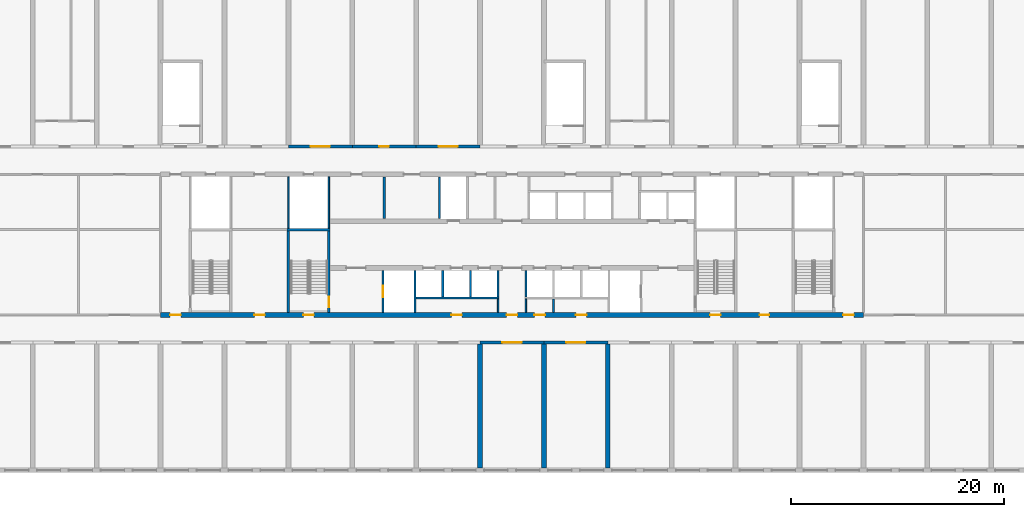
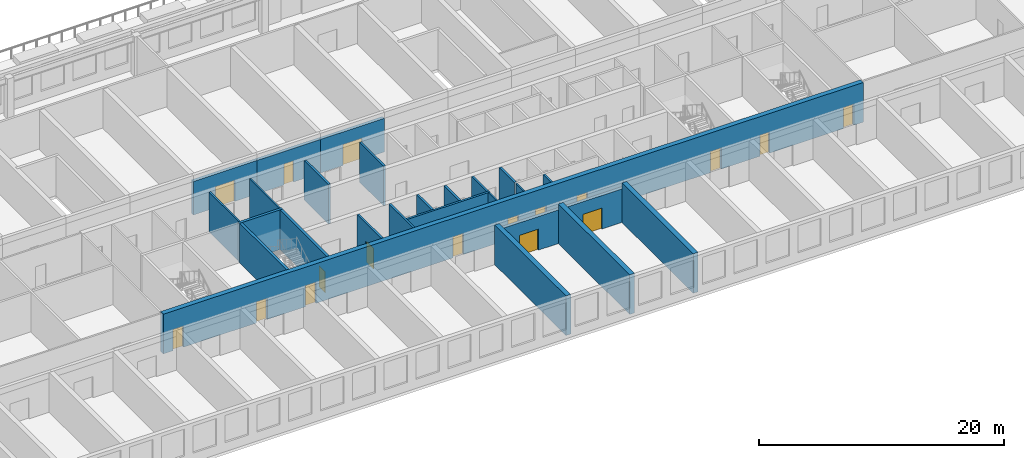
# One storey, part 4 of 15: 26 walls, 17 doors, 17 openings.
"""IFC4 building model written with IfcOpenShell, lengths in metres."""

from ifc_helpers import new_model, si_unit, direction, frame, frame_2d, origin, place, context, subcontext, project, spatial, rectangle, extrude, material, layer, layer_set, type_object, element, fill, save


model = new_model("IFC4")

# Units and contexts
model_context = context("Model", 3, precision=1e-05, world=origin(), true_north=direction((0.0, 1.0)))
body_context = subcontext(model_context, "Body", "Model", "MODEL_VIEW")
ifc_project = project(units=[si_unit("LENGTHUNIT", "METRE"), si_unit("AREAUNIT", "SQUARE_METRE"), si_unit("VOLUMEUNIT", "CUBIC_METRE"), si_unit("PLANEANGLEUNIT", "RADIAN"), si_unit("MASSUNIT", "GRAM", prefix="KILO")], contexts=[model_context])

# Site, building, storey
site_placement = place(None, origin())
site = spatial("IfcSite", under=ifc_project, at=site_placement, CompositionType="ELEMENT")
building_placement = place(site_placement, origin())
building = spatial("IfcBuilding", under=site, at=building_placement, Name="Poui Terraces", CompositionType="ELEMENT")
storey_placement = place(building_placement, frame((0.0, 0.0, 19.199951171875)))
storey = spatial("IfcBuildingStorey", under=building, at=storey_placement, Name="L04", CompositionType="ELEMENT", Elevation=19.199951171875)

# Walls
ifc_material_1 = material(Name="Fire-rated masonry wall", Category="masonry")
ifc_layer_1 = layer(ifc_material_1, 0.199951171875)
ifc_layer_set_1 = layer_set([ifc_layer_1], Name="Fire-rated masonry wall")
wall_type_1 = type_object("IfcWallType", Name="COMPARTMENT WALL 200", PredefinedType="PARTITIONING", material=ifc_layer_set_1)
wall_1_placement = place(storey_placement, frame((54.89990234375, 14.8349609375, 0.0), z_axis=(0.0, 0.0, 1.0), x_axis=(0.0, 1.0, 0.0)))
element("IfcWall", 1, at=wall_1_placement, inside=storey, type_object=wall_type_1, Name="COMPARTMENT WALL 200", PredefinedType="PARTITIONING", context=body_context, shape_type="SweptSolid", body=[
    extrude(rectangle(XDim=1.26513671875, YDim=0.199951171875, at=frame_2d((0.632568359375, 0.0))), origin(), (0.0, 0.0, 1.0), 3.949951171875),
])
ifc_material_2 = material(Name="Fire-rated plasterboard wall")
ifc_layer_2 = layer(ifc_material_2, 0.14990234375)
ifc_layer_set_2 = layer_set([ifc_layer_2], Name="Fire-rated plasterboard wall")
wall_type_2 = type_object("IfcWallType", Name="CORRIDOR WALL 150", PredefinedType="PARTITIONING", material=ifc_layer_set_2)
for number, where, z_axis, x_axis, name in (
    (2, (49.699951171875, 14.8349609375, 0.0), (0.0, 0.0, 1.0), (0.0, 1.0, 0.0), "CORRIDOR WALL 150"),
    (3, (52.300048828125, 14.8349609375, 0.0), (0.0, 0.0, 1.0), (0.0, 1.0, 0.0), "CORRIDOR WALL 150"),
):
    element("IfcWall", number, at=place(storey_placement, frame(where, z_axis=z_axis, x_axis=x_axis)), inside=storey, type_object=wall_type_2, Name=name, PredefinedType="PARTITIONING", context=body_context, shape_type="SweptSolid", body=[
        extrude(rectangle(XDim=1.26513671875, YDim=0.14990234375, at=frame_2d((0.632568359375, 0.0))), origin(), (0.0, 0.0, 1.0), 3.949951171875),
    ])

# Wall, opening, door
ifc_material_3 = material(Name="Concrete 80 MPa", Category="concrete")
ifc_layer_3 = layer(ifc_material_3, 0.300048828125)
ifc_layer_set_3 = layer_set([ifc_layer_3], Name="Concrete 80 MPa")
wall_type_3 = type_object("IfcWallType", Name="CORRIDOR WALL 300 80MPa", PredefinedType="SHEAR", material=ifc_layer_set_3)
wall_2_placement = place(storey_placement, frame((48.0, 12.0, 0.0), z_axis=(0.0, 0.0, 1.0), x_axis=(1.0, 0.0, 0.0)))
wall_2 = element("IfcWall", 4, at=wall_2_placement, inside=storey, type_object=wall_type_3, Name="CORRIDOR WALL LINE B BAY 9", PredefinedType="SHEAR", context=body_context, shape_type="SweptSolid", body=[
    extrude(rectangle(XDim=6.0, YDim=0.300048828125, at=frame_2d((3.0, 0.0))), origin(), (0.0, 0.0, 1.0), 3.35009765625),
])
opening_1_placement = place(wall_2_placement, frame((2.10009765625, 0.0, 0.0)))
opening_1 = element("IfcOpeningElement", 5, at=opening_1_placement, cuts=wall_2, Name="Opening DD180", PredefinedType="OPENING", context=body_context, shape_type="SweptSolid", body=[
    extrude(rectangle(XDim=1.800048828125, YDim=2.10009765625, at=frame_2d((0.89990234375, 1.050048828125))), frame((0.0, 0.16015625, 0.0), z_axis=(0.0, -1.0, 0.0), x_axis=(1.0, 0.0, 0.0)), (0.0, 0.0, 1.0), 0.320068359375),
])
ifc_material_4 = material(Name="Steel fire door", Category="steel")
door_type_1 = type_object("IfcDoorType", Name="DOUBLE INTERNAL DOOR 1800 X 2100", OperationType="DOUBLE_DOOR_SINGLE_SWING", PredefinedType="DOOR", material=ifc_material_4)
door_1_placement = place(opening_1_placement, origin())
door_1 = element("IfcDoor", 6, at=door_1_placement, inside=storey, type_object=door_type_1, Name="DOUBLE INTERNAL DOOR 054", OperationType="DOUBLE_DOOR_SINGLE_SWING", OverallHeight=2.10009765625, OverallWidth=1.800048828125, PredefinedType="DOOR", context=body_context, shape_type="SweptSolid", body=[
    extrude(rectangle(XDim=1.800048828125, YDim=2.10009765625, at=frame_2d((0.89990234375, 1.050048828125))), frame((0.0, 0.02490234375, 0.0), z_axis=(0.0, -1.0, 0.0), x_axis=(1.0, 0.0, 0.0)), (0.0, 0.0, 1.0), 0.050048828125),
])
fill(opening_1, door_1)

wall_3_placement = place(storey_placement, frame((54.0, 12.0, 0.0), z_axis=(0.0, 0.0, 1.0), x_axis=(1.0, 0.0, 0.0)))
wall_3 = element("IfcWall", 7, at=wall_3_placement, inside=storey, type_object=wall_type_3, Name="CORRIDOR WALL LINE B BAY 10", PredefinedType="SHEAR", context=body_context, shape_type="SweptSolid", body=[
    extrude(rectangle(XDim=6.0, YDim=0.300048828125, at=frame_2d((3.0, 0.0))), origin(), (0.0, 0.0, 1.0), 3.35009765625),
])
opening_2_placement = place(wall_3_placement, frame((2.10009765625, 0.0, 0.0)))
opening_2 = element("IfcOpeningElement", 8, at=opening_2_placement, cuts=wall_3, Name="Opening DD180", PredefinedType="OPENING", context=body_context, shape_type="SweptSolid", body=[
    extrude(rectangle(XDim=1.800048828125, YDim=2.10009765625, at=frame_2d((0.89990234375, 1.050048828125))), frame((0.0, 0.16015625, 0.0), z_axis=(0.0, -1.0, 0.0), x_axis=(1.0, 0.0, 0.0)), (0.0, 0.0, 1.0), 0.320068359375),
])
door_2_placement = place(opening_2_placement, origin())
door_2 = element("IfcDoor", 9, at=door_2_placement, inside=storey, type_object=door_type_1, Name="DOUBLE INTERNAL DOOR 057", OperationType="DOUBLE_DOOR_SINGLE_SWING", OverallHeight=2.10009765625, OverallWidth=1.800048828125, PredefinedType="DOOR", context=body_context, shape_type="SweptSolid", body=[
    extrude(rectangle(XDim=1.800048828125, YDim=2.10009765625, at=frame_2d((0.89990234375, 1.050048828125))), frame((0.0, 0.02490234375, 0.0), z_axis=(0.0, -1.0, 0.0), x_axis=(1.0, 0.0, 0.0)), (0.0, 0.0, 1.0), 0.050048828125),
])
fill(opening_2, door_2)

wall_4_placement = place(storey_placement, frame((30.0, 30.39990234375, 0.0), z_axis=(0.0, 0.0, 1.0), x_axis=(1.0, 0.0, 0.0)))
wall_4 = element("IfcWall", 10, at=wall_4_placement, inside=storey, type_object=wall_type_3, Name="CORRIDOR WALL LINE E BAY 6", PredefinedType="SHEAR", context=body_context, shape_type="SweptSolid", body=[
    extrude(rectangle(XDim=6.0, YDim=0.300048828125, at=frame_2d((3.0, 0.0))), origin(), (0.0, 0.0, 1.0), 3.35009765625),
])
opening_3_placement = place(wall_4_placement, frame((2.10009765625, 0.0, 0.0)))
opening_3 = element("IfcOpeningElement", 11, at=opening_3_placement, cuts=wall_4, Name="Opening DD180", PredefinedType="OPENING", context=body_context, shape_type="SweptSolid", body=[
    extrude(rectangle(XDim=1.800048828125, YDim=2.10009765625, at=frame_2d((0.89990234375, 1.050048828125))), frame((0.0, 0.16015625, 0.0), z_axis=(0.0, -1.0, 0.0), x_axis=(1.0, 0.0, 0.0)), (0.0, 0.0, 1.0), 0.320068359375),
])
door_3_placement = place(opening_3_placement, frame((1.800048828125, 0.0, 0.0), z_axis=(0.0, 0.0, 1.0), x_axis=(-1.0, 0.0, 0.0)))
door_3 = element("IfcDoor", 12, at=door_3_placement, inside=storey, type_object=door_type_1, Name="DOUBLE INTERNAL DOOR 014", OperationType="DOUBLE_DOOR_SINGLE_SWING", OverallHeight=2.10009765625, OverallWidth=1.800048828125, PredefinedType="DOOR", context=body_context, shape_type="SweptSolid", body=[
    extrude(rectangle(XDim=1.800048828125, YDim=2.10009765625, at=frame_2d((0.89990234375, 1.050048828125))), frame((0.0, 0.02490234375, 0.0), z_axis=(0.0, -1.0, 0.0), x_axis=(1.0, 0.0, 0.0)), (0.0, 0.0, 1.0), 0.050048828125),
])
fill(opening_3, door_3)

wall_5_placement = place(storey_placement, frame((36.0, 30.39990234375, 0.0), z_axis=(0.0, 0.0, 1.0), x_axis=(1.0, 0.0, 0.0)))
wall_5 = element("IfcWall", 13, at=wall_5_placement, inside=storey, type_object=wall_type_3, Name="CORRIDOR WALL LINE E BAY 7", PredefinedType="SHEAR", context=body_context, shape_type="SweptSolid", body=[
    extrude(rectangle(XDim=6.0, YDim=0.300048828125, at=frame_2d((3.0, 0.0))), origin(), (0.0, 0.0, 1.0), 3.35009765625),
])
opening_4_placement = place(wall_5_placement, frame((2.550048828125, 0.0, 0.0)))
opening_4 = element("IfcOpeningElement", 14, at=opening_4_placement, cuts=wall_5, Name="Opening D90", PredefinedType="OPENING", context=body_context, shape_type="SweptSolid", body=[
    extrude(rectangle(XDim=0.89990234375, YDim=2.10009765625, at=frame_2d((0.449951171875, 1.050048828125))), frame((0.0, 0.16015625, 0.0), z_axis=(0.0, -1.0, 0.0), x_axis=(1.0, 0.0, 0.0)), (0.0, 0.0, 1.0), 0.320068359375),
])
ifc_material_5 = material(Name="Solid core timber door", Category="wood")
door_type_2 = type_object("IfcDoorType", Name="INTERNAL DOOR 900 X 2100", OperationType="NOTDEFINED", PredefinedType="DOOR", material=ifc_material_5)
door_4_placement = place(opening_4_placement, frame((0.89990234375, 0.0, 0.0), z_axis=(0.0, 0.0, 1.0), x_axis=(-1.0, 0.0, 0.0)))
door_4 = element("IfcDoor", 15, at=door_4_placement, inside=storey, type_object=door_type_2, Name="INTERNAL DOOR 016", OperationType="SINGLE_SWING_LEFT", OverallHeight=2.10009765625, OverallWidth=0.89990234375, PredefinedType="DOOR", context=body_context, shape_type="SweptSolid", body=[
    extrude(rectangle(XDim=0.89990234375, YDim=2.10009765625, at=frame_2d((0.449951171875, 1.050048828125))), frame((0.0, 0.02490234375, 0.0), z_axis=(0.0, -1.0, 0.0), x_axis=(1.0, 0.0, 0.0)), (0.0, 0.0, 1.0), 0.050048828125),
])
fill(opening_4, door_4)

wall_6_placement = place(storey_placement, frame((42.0, 30.39990234375, 0.0), z_axis=(0.0, 0.0, 1.0), x_axis=(1.0, 0.0, 0.0)))
wall_6 = element("IfcWall", 16, at=wall_6_placement, inside=storey, type_object=wall_type_3, Name="CORRIDOR WALL LINE E BAY 8", PredefinedType="SHEAR", context=body_context, shape_type="SweptSolid", body=[
    extrude(rectangle(XDim=6.0, YDim=0.300048828125, at=frame_2d((3.0, 0.0))), origin(), (0.0, 0.0, 1.0), 3.35009765625),
])
opening_5_placement = place(wall_6_placement, frame((2.10009765625, 0.0, 0.0)))
opening_5 = element("IfcOpeningElement", 17, at=opening_5_placement, cuts=wall_6, Name="Opening DD180", PredefinedType="OPENING", context=body_context, shape_type="SweptSolid", body=[
    extrude(rectangle(XDim=1.800048828125, YDim=2.10009765625, at=frame_2d((0.89990234375, 1.050048828125))), frame((0.0, 0.16015625, 0.0), z_axis=(0.0, -1.0, 0.0), x_axis=(1.0, 0.0, 0.0)), (0.0, 0.0, 1.0), 0.320068359375),
])
door_5_placement = place(opening_5_placement, frame((1.800048828125, 0.0, 0.0), z_axis=(0.0, 0.0, 1.0), x_axis=(-1.0, 0.0, 0.0)))
door_5 = element("IfcDoor", 18, at=door_5_placement, inside=storey, type_object=door_type_1, Name="DOUBLE INTERNAL DOOR 018", OperationType="DOUBLE_DOOR_SINGLE_SWING", OverallHeight=2.10009765625, OverallWidth=1.800048828125, PredefinedType="DOOR", context=body_context, shape_type="SweptSolid", body=[
    extrude(rectangle(XDim=1.800048828125, YDim=2.10009765625, at=frame_2d((0.89990234375, 1.050048828125))), frame((0.0, 0.02490234375, 0.0), z_axis=(0.0, -1.0, 0.0), x_axis=(1.0, 0.0, 0.0)), (0.0, 0.0, 1.0), 0.050048828125),
])
fill(opening_5, door_5)

# Walls
ifc_layer_4 = layer(ifc_material_3, 0.449951171875)
ifc_layer_set_4 = layer_set([ifc_layer_4], Name="Concrete 80 MPa")
wall_type_4 = type_object("IfcWallType", Name="CROSS WALL 450 80MPa", PredefinedType="SHEAR", material=ifc_layer_set_4)
for number, where, z_axis, x_axis, name in (
    (19, (48.0, 0.199951171875, 0.0), (0.0, 0.0, 1.0), (0.0, 1.0, 0.0), "CROSS WALL LINE 9 SOUTH"),
    (20, (54.0, 0.199951171875, 0.0), (0.0, 0.0, 1.0), (0.0, 1.0, 0.0), "CROSS WALL LINE 10 SOUTH"),
    (21, (60.0, 0.199951171875, 0.0), (0.0, 0.0, 1.0), (0.0, 1.0, 0.0), "CROSS WALL LINE 11 SOUTH"),
):
    element("IfcWall", number, at=place(storey_placement, frame(where, z_axis=z_axis, x_axis=x_axis)), inside=storey, type_object=wall_type_4, Name=name, PredefinedType="SHEAR", context=body_context, shape_type="SweptSolid", body=[
        extrude(rectangle(XDim=11.650146484375, YDim=0.449951171875, at=frame_2d((5.8251953125, 0.0))), origin(), (0.0, 0.0, 1.0), 3.949951171875),
    ])
ifc_layer_5 = layer(ifc_material_1, 0.199951171875)
ifc_layer_set_5 = layer_set([ifc_layer_5], Name="Fire-rated masonry wall")
wall_type_5 = type_object("IfcWallType", Name="PLANT ROOM WALL 200", PredefinedType="PARTITIONING", material=ifc_layer_set_5)
wall_7_placement = place(storey_placement, frame((39.0, 23.635009765625, 0.0), z_axis=(0.0, 0.0, 1.0), x_axis=(0.0, 1.0, 0.0)))
element("IfcWall", 22, at=wall_7_placement, inside=storey, type_object=wall_type_5, Name="PLANT ROOM WALL 200", PredefinedType="PARTITIONING", context=body_context, shape_type="SweptSolid", body=[
    extrude(rectangle(XDim=3.929931640625, YDim=0.199951171875, at=frame_2d((1.96484375, 0.0))), origin(), (0.0, 0.0, 1.0), 3.949951171875),
])
ifc_material_6 = material(Name="Fire-rated plasterboard riser wall")
ifc_layer_6 = layer(ifc_material_6, 0.14990234375)
ifc_layer_set_6 = layer_set([ifc_layer_6], Name="Fire-rated plasterboard riser wall")
wall_type_6 = type_object("IfcWallType", Name="RISER WALL 150", PredefinedType="PARTITIONING", material=ifc_layer_set_6)
for number, where, z_axis, x_axis, name in (
    (23, (30.0, 22.735107421875, 0.0), (0.0, 0.0, 1.0), (0.0, 1.0, 0.0), "RISER WALL 150"),
    (24, (33.800048828125, 22.735107421875, 0.0), (0.0, 0.0, 1.0), (0.0, 1.0, 0.0), "RISER WALL 150"),
):
    element("IfcWall", number, at=place(storey_placement, frame(where, z_axis=z_axis, x_axis=x_axis)), inside=storey, type_object=wall_type_6, Name=name, PredefinedType="PARTITIONING", context=body_context, shape_type="SweptSolid", body=[
        extrude(rectangle(XDim=4.829833984375, YDim=0.14990234375, at=frame_2d((2.4150390625, 0.0))), origin(), (0.0, 0.0, 1.0), 3.949951171875),
    ])
ifc_material_7 = material(Name="Fire-rated masonry shaft wall", Category="masonry")
ifc_layer_7 = layer(ifc_material_7, 0.199951171875)
ifc_layer_set_7 = layer_set([ifc_layer_7], Name="Fire-rated masonry shaft wall")
wall_type_7 = type_object("IfcWallType", Name="SHAFT WALL 200", PredefinedType="PARTITIONING", material=ifc_layer_set_7)
wall_8_placement = place(storey_placement, frame((42.0, 16.199951171875, 0.0), z_axis=(0.0, 0.0, 1.0), x_axis=(1.0, 0.0, 0.0)))
element("IfcWall", 25, at=wall_8_placement, inside=storey, type_object=wall_type_7, Name="SHAFT WALL 200", PredefinedType="PARTITIONING", context=body_context, shape_type="SweptSolid", body=[
    extrude(rectangle(XDim=7.800048828125, YDim=0.199951171875, at=frame_2d((3.89990234375, 0.0))), origin(), (0.0, 0.0, 1.0), 3.949951171875),
])

# Wall, opening, door
wall_9_placement = place(storey_placement, frame((38.89990234375, 14.8349609375, 0.0), z_axis=(0.0, 0.0, 1.0), x_axis=(0.0, 1.0, 0.0)))
wall_9 = element("IfcWall", 26, at=wall_9_placement, inside=storey, type_object=wall_type_7, Name="SHAFT WALL 200", PredefinedType="PARTITIONING", context=body_context, shape_type="SweptSolid", body=[
    extrude(rectangle(XDim=3.929931640625, YDim=0.199951171875, at=frame_2d((1.96484375, 0.0))), origin(), (0.0, 0.0, 1.0), 3.949951171875),
])
opening_6_placement = place(wall_9_placement, frame((1.4150390625, 0.0, 0.0)))
opening_6 = element("IfcOpeningElement", 27, at=opening_6_placement, cuts=wall_9, Name="Opening LD", PredefinedType="OPENING", context=body_context, shape_type="SweptSolid", body=[
    extrude(rectangle(XDim=1.10009765625, YDim=2.10009765625, at=frame_2d((0.550048828125, 1.050048828125))), frame((0.0, 0.10986328125, 0.0), z_axis=(0.0, -1.0, 0.0), x_axis=(1.0, 0.0, 0.0)), (0.0, 0.0, 1.0), 0.219970703125),
])
ifc_material_8 = material(Name="Stainless steel sliding door", Category="steel")
door_type_3 = type_object("IfcDoorType", Name="LIFT LANDING DOOR 1100 X 2100", OperationType="DOUBLE_DOOR_SLIDING", PredefinedType="DOOR", material=ifc_material_8)
door_6_placement = place(opening_6_placement, origin())
door_6 = element("IfcDoor", 28, at=door_6_placement, inside=storey, type_object=door_type_3, Name="LANDING DOOR", OperationType="DOUBLE_DOOR_SLIDING", OverallHeight=2.10009765625, OverallWidth=1.10009765625, PredefinedType="DOOR", context=body_context, shape_type="SweptSolid", body=[
    extrude(rectangle(XDim=1.10009765625, YDim=2.10009765625, at=frame_2d((0.550048828125, 1.050048828125))), frame((0.0, 0.02490234375, 0.0), z_axis=(0.0, -1.0, 0.0), x_axis=(1.0, 0.0, 0.0)), (0.0, 0.0, 1.0), 0.050048828125),
])
fill(opening_6, door_6)

# Walls
for number, where, z_axis, x_axis, name in (
    (29, (41.89990234375, 14.8349609375, 0.0), (0.0, 0.0, 1.0), (0.0, 1.0, 0.0), "SHAFT WALL 200"),
    (30, (44.199951171875, 23.635009765625, 0.0), (0.0, 0.0, 1.0), (0.0, 1.0, 0.0), "SHAFT WALL 200"),
):
    element("IfcWall", number, at=place(storey_placement, frame(where, z_axis=z_axis, x_axis=x_axis)), inside=storey, type_object=wall_type_7, Name=name, PredefinedType="PARTITIONING", context=body_context, shape_type="SweptSolid", body=[
        extrude(rectangle(XDim=3.929931640625, YDim=0.199951171875, at=frame_2d((1.96484375, 0.0))), origin(), (0.0, 0.0, 1.0), 3.949951171875),
    ])
for number, where, z_axis, x_axis, name in (
    (31, (44.5, 16.300048828125, 0.0), (0.0, 0.0, 1.0), (0.0, 1.0, 0.0), "SHAFT WALL 200"),
    (32, (47.10009765625, 16.300048828125, 0.0), (0.0, 0.0, 1.0), (0.0, 1.0, 0.0), "SHAFT WALL 200"),
    (33, (49.699951171875, 16.300048828125, 0.0), (0.0, 0.0, 1.0), (0.0, 1.0, 0.0), "SHAFT WALL 200"),
    (34, (52.300048828125, 16.300048828125, 0.0), (0.0, 0.0, 1.0), (0.0, 1.0, 0.0), "SHAFT WALL 200"),
):
    element("IfcWall", number, at=place(storey_placement, frame(where, z_axis=z_axis, x_axis=x_axis)), inside=storey, type_object=wall_type_7, Name=name, PredefinedType="PARTITIONING", context=body_context, shape_type="SweptSolid", body=[
        extrude(rectangle(XDim=2.46484375, YDim=0.199951171875, at=frame_2d((1.232421875, 0.0))), origin(), (0.0, 0.0, 1.0), 3.949951171875),
    ])

# Wall, openings, doors
ifc_layer_8 = layer(ifc_material_3, 0.449951171875)
ifc_layer_set_8 = layer_set([ifc_layer_8], Name="Concrete 80 MPa")
wall_type_8 = type_object("IfcWallType", Name="SPINE WALL 450 80 MPA", PredefinedType="SOLIDWALL", material=ifc_layer_set_8)
wall_10_placement = place(storey_placement, frame((18.0, 14.60009765625, 0.0), z_axis=(0.0, 0.0, 1.0), x_axis=(1.0, 0.0, 0.0)))
wall_10 = element("IfcWall", 35, at=wall_10_placement, inside=storey, type_object=wall_type_8, Name="SPINE WALL", PredefinedType="SOLIDWALL", context=body_context, shape_type="SweptSolid", body=[
    extrude(rectangle(XDim=66.0, YDim=0.449951171875, at=frame_2d((33.0, 0.0))), origin(), (0.0, 0.0, 1.0), 3.949951171875),
])
opening_7_placement = place(wall_10_placement, frame((0.89990234375, 0.0, 0.0)))
opening_7 = element("IfcOpeningElement", 36, at=opening_7_placement, cuts=wall_10, Name="Opening FDL", PredefinedType="OPENING", context=body_context, shape_type="SweptSolid", body=[
    extrude(rectangle(XDim=1.0, YDim=2.10009765625, at=frame_2d((0.5, 1.050048828125))), frame((0.0, 0.23486328125, 0.0), z_axis=(0.0, -1.0, 0.0), x_axis=(1.0, 0.0, 0.0)), (0.0, 0.0, 1.0), 0.469970703125),
])
opening_8_placement = place(wall_10_placement, frame((8.800048828125, 0.0, 0.0)))
opening_8 = element("IfcOpeningElement", 37, at=opening_8_placement, cuts=wall_10, Name="Opening D100", PredefinedType="OPENING", context=body_context, shape_type="SweptSolid", body=[
    extrude(rectangle(XDim=1.0, YDim=2.10009765625, at=frame_2d((0.5, 1.050048828125))), frame((0.0, 0.23486328125, 0.0), z_axis=(0.0, -1.0, 0.0), x_axis=(1.0, 0.0, 0.0)), (0.0, 0.0, 1.0), 0.469970703125),
])
opening_9_placement = place(wall_10_placement, frame((13.39990234375, 0.0, 0.0)))
opening_9 = element("IfcOpeningElement", 38, at=opening_9_placement, cuts=wall_10, Name="Opening FD60S", PredefinedType="OPENING", context=body_context, shape_type="SweptSolid", body=[
    extrude(rectangle(XDim=1.0, YDim=2.10009765625, at=frame_2d((0.5, 1.050048828125))), frame((0.0, 0.23486328125, 0.0), z_axis=(0.0, -1.0, 0.0), x_axis=(1.0, 0.0, 0.0)), (0.0, 0.0, 1.0), 0.469970703125),
])
opening_10_placement = place(wall_10_placement, frame((27.300048828125, 0.0, 0.0)))
opening_10 = element("IfcOpeningElement", 39, at=opening_10_placement, cuts=wall_10, Name="Opening FD60", PredefinedType="OPENING", context=body_context, shape_type="SweptSolid", body=[
    extrude(rectangle(XDim=1.0, YDim=2.10009765625, at=frame_2d((0.5, 1.050048828125))), frame((0.0, 0.23486328125, 0.0), z_axis=(0.0, -1.0, 0.0), x_axis=(1.0, 0.0, 0.0)), (0.0, 0.0, 1.0), 0.469970703125),
])
opening_11_placement = place(wall_10_placement, frame((32.5, 0.0, 0.0)))
opening_11 = element("IfcOpeningElement", 40, at=opening_11_placement, cuts=wall_10, Name="Opening FDL", PredefinedType="OPENING", context=body_context, shape_type="SweptSolid", body=[
    extrude(rectangle(XDim=1.0, YDim=2.10009765625, at=frame_2d((0.5, 1.050048828125))), frame((0.0, 0.23486328125, 0.0), z_axis=(0.0, -1.0, 0.0), x_axis=(1.0, 0.0, 0.0)), (0.0, 0.0, 1.0), 0.469970703125),
])
opening_12_placement = place(wall_10_placement, frame((35.10009765625, 0.0, 0.0)))
opening_12 = element("IfcOpeningElement", 41, at=opening_12_placement, cuts=wall_10, Name="Opening FD60", PredefinedType="OPENING", context=body_context, shape_type="SweptSolid", body=[
    extrude(rectangle(XDim=1.0, YDim=2.10009765625, at=frame_2d((0.5, 1.050048828125))), frame((0.0, 0.23486328125, 0.0), z_axis=(0.0, -1.0, 0.0), x_axis=(1.0, 0.0, 0.0)), (0.0, 0.0, 1.0), 0.469970703125),
])
opening_13_placement = place(wall_10_placement, frame((39.0, 0.0, 0.0)))
opening_13 = element("IfcOpeningElement", 42, at=opening_13_placement, cuts=wall_10, Name="Opening FD60", PredefinedType="OPENING", context=body_context, shape_type="SweptSolid", body=[
    extrude(rectangle(XDim=1.0, YDim=2.10009765625, at=frame_2d((0.5, 1.050048828125))), frame((0.0, 0.23486328125, 0.0), z_axis=(0.0, -1.0, 0.0), x_axis=(1.0, 0.0, 0.0)), (0.0, 0.0, 1.0), 0.469970703125),
])
opening_14_placement = place(wall_10_placement, frame((51.60009765625, 0.0, 0.0)))
opening_14 = element("IfcOpeningElement", 43, at=opening_14_placement, cuts=wall_10, Name="Opening FD60S", PredefinedType="OPENING", context=body_context, shape_type="SweptSolid", body=[
    extrude(rectangle(XDim=1.0, YDim=2.10009765625, at=frame_2d((0.5, 1.050048828125))), frame((0.0, 0.23486328125, 0.0), z_axis=(0.0, -1.0, 0.0), x_axis=(1.0, 0.0, 0.0)), (0.0, 0.0, 1.0), 0.469970703125),
])
opening_15_placement = place(wall_10_placement, frame((56.25, 0.0, 0.0)))
opening_15 = element("IfcOpeningElement", 44, at=opening_15_placement, cuts=wall_10, Name="Opening D90", PredefinedType="OPENING", context=body_context, shape_type="SweptSolid", body=[
    extrude(rectangle(XDim=0.89990234375, YDim=2.10009765625, at=frame_2d((0.449951171875, 1.050048828125))), frame((0.0, 0.23486328125, 0.0), z_axis=(0.0, -1.0, 0.0), x_axis=(1.0, 0.0, 0.0)), (0.0, 0.0, 1.0), 0.469970703125),
])
opening_16_placement = place(wall_10_placement, frame((64.10009765625, 0.0, 0.0)))
opening_16 = element("IfcOpeningElement", 45, at=opening_16_placement, cuts=wall_10, Name="Opening FDL", PredefinedType="OPENING", context=body_context, shape_type="SweptSolid", body=[
    extrude(rectangle(XDim=1.0, YDim=2.10009765625, at=frame_2d((0.5, 1.050048828125))), frame((0.0, 0.23486328125, 0.0), z_axis=(0.0, -1.0, 0.0), x_axis=(1.0, 0.0, 0.0)), (0.0, 0.0, 1.0), 0.469970703125),
])
door_type_4 = type_object("IfcDoorType", Name="ACCESSIBLE INTERNAL DOOR 1000 X 2100", OperationType="NOTDEFINED", PredefinedType="DOOR", material=ifc_material_5)
door_7_placement = place(opening_8_placement, frame((1.0, 0.0, 0.0), z_axis=(0.0, 0.0, 1.0), x_axis=(-1.0, 0.0, 0.0)))
door_7 = element("IfcDoor", 46, at=door_7_placement, inside=storey, type_object=door_type_4, Name="ACCESSIBLE INTERNAL DOOR 048", OperationType="SINGLE_SWING_LEFT", OverallHeight=2.10009765625, OverallWidth=1.0, PredefinedType="DOOR", context=body_context, shape_type="SweptSolid", body=[
    extrude(rectangle(XDim=1.0, YDim=2.10009765625, at=frame_2d((0.5, 1.050048828125))), frame((0.0, 0.02490234375, 0.0), z_axis=(0.0, -1.0, 0.0), x_axis=(1.0, 0.0, 0.0)), (0.0, 0.0, 1.0), 0.050048828125),
])
fill(opening_8, door_7)
door_8_placement = place(opening_15_placement, frame((0.89990234375, 0.0, 0.0), z_axis=(0.0, 0.0, 1.0), x_axis=(-1.0, 0.0, 0.0)))
door_8 = element("IfcDoor", 47, at=door_8_placement, inside=storey, type_object=door_type_2, Name="INTERNAL DOOR 062", OperationType="SINGLE_SWING_LEFT", OverallHeight=2.10009765625, OverallWidth=0.89990234375, PredefinedType="DOOR", context=body_context, shape_type="SweptSolid", body=[
    extrude(rectangle(XDim=0.89990234375, YDim=2.10009765625, at=frame_2d((0.449951171875, 1.050048828125))), frame((0.0, 0.02490234375, 0.0), z_axis=(0.0, -1.0, 0.0), x_axis=(1.0, 0.0, 0.0)), (0.0, 0.0, 1.0), 0.050048828125),
])
fill(opening_15, door_8)
door_type_5 = type_object("IfcDoorType", Name="LOBBY FIRE DOOR 1000 X 2100", OperationType="NOTDEFINED", PredefinedType="DOOR", material=ifc_material_4)
door_9_placement = place(opening_7_placement, frame((1.0, 0.0, 0.0), z_axis=(0.0, 0.0, 1.0), x_axis=(-1.0, 0.0, 0.0)))
door_9 = element("IfcDoor", 48, at=door_9_placement, inside=storey, type_object=door_type_5, Name="LOBBY FIRE DOOR 045", OperationType="SINGLE_SWING_RIGHT", OverallHeight=2.10009765625, OverallWidth=1.0, PredefinedType="DOOR", context=body_context, shape_type="SweptSolid", body=[
    extrude(rectangle(XDim=1.0, YDim=2.10009765625, at=frame_2d((0.5, 1.050048828125))), frame((0.0, 0.02490234375, 0.0), z_axis=(0.0, -1.0, 0.0), x_axis=(1.0, 0.0, 0.0)), (0.0, 0.0, 1.0), 0.050048828125),
])
fill(opening_7, door_9)
door_10_placement = place(opening_11_placement, frame((1.0, 0.0, 0.0), z_axis=(0.0, 0.0, 1.0), x_axis=(-1.0, 0.0, 0.0)))
door_10 = element("IfcDoor", 49, at=door_10_placement, inside=storey, type_object=door_type_5, Name="LOBBY FIRE DOOR 055", OperationType="SINGLE_SWING_LEFT", OverallHeight=2.10009765625, OverallWidth=1.0, PredefinedType="DOOR", context=body_context, shape_type="SweptSolid", body=[
    extrude(rectangle(XDim=1.0, YDim=2.10009765625, at=frame_2d((0.5, 1.050048828125))), frame((0.0, 0.02490234375, 0.0), z_axis=(0.0, -1.0, 0.0), x_axis=(1.0, 0.0, 0.0)), (0.0, 0.0, 1.0), 0.050048828125),
])
fill(opening_11, door_10)
door_11_placement = place(opening_16_placement, frame((1.0, 0.0, 0.0), z_axis=(0.0, 0.0, 1.0), x_axis=(-1.0, 0.0, 0.0)))
door_11 = element("IfcDoor", 50, at=door_11_placement, inside=storey, type_object=door_type_5, Name="LOBBY FIRE DOOR 065", OperationType="SINGLE_SWING_LEFT", OverallHeight=2.10009765625, OverallWidth=1.0, PredefinedType="DOOR", context=body_context, shape_type="SweptSolid", body=[
    extrude(rectangle(XDim=1.0, YDim=2.10009765625, at=frame_2d((0.5, 1.050048828125))), frame((0.0, 0.02490234375, 0.0), z_axis=(0.0, -1.0, 0.0), x_axis=(1.0, 0.0, 0.0)), (0.0, 0.0, 1.0), 0.050048828125),
])
fill(opening_16, door_11)
door_type_6 = type_object("IfcDoorType", Name="SERVICE ROOM FIRE DOOR 1000 X 2100", OperationType="NOTDEFINED", PredefinedType="DOOR", material=ifc_material_4)
door_12_placement = place(opening_10_placement, frame((1.0, 0.0, 0.0), z_axis=(0.0, 0.0, 1.0), x_axis=(-1.0, 0.0, 0.0)))
door_12 = element("IfcDoor", 51, at=door_12_placement, inside=storey, type_object=door_type_6, Name="SERVICE ROOM FIRE DOOR 053", OperationType="SINGLE_SWING_LEFT", OverallHeight=2.10009765625, OverallWidth=1.0, PredefinedType="DOOR", context=body_context, shape_type="SweptSolid", body=[
    extrude(rectangle(XDim=1.0, YDim=2.10009765625, at=frame_2d((0.5, 1.050048828125))), frame((0.0, 0.02490234375, 0.0), z_axis=(0.0, -1.0, 0.0), x_axis=(1.0, 0.0, 0.0)), (0.0, 0.0, 1.0), 0.050048828125),
])
fill(opening_10, door_12)
door_13_placement = place(opening_12_placement, frame((1.0, 0.0, 0.0), z_axis=(0.0, 0.0, 1.0), x_axis=(-1.0, 0.0, 0.0)))
door_13 = element("IfcDoor", 52, at=door_13_placement, inside=storey, type_object=door_type_6, Name="SERVICE ROOM FIRE DOOR 056", OperationType="SINGLE_SWING_RIGHT", OverallHeight=2.10009765625, OverallWidth=1.0, PredefinedType="DOOR", context=body_context, shape_type="SweptSolid", body=[
    extrude(rectangle(XDim=1.0, YDim=2.10009765625, at=frame_2d((0.5, 1.050048828125))), frame((0.0, 0.02490234375, 0.0), z_axis=(0.0, -1.0, 0.0), x_axis=(1.0, 0.0, 0.0)), (0.0, 0.0, 1.0), 0.050048828125),
])
fill(opening_12, door_13)
door_14_placement = place(opening_13_placement, frame((1.0, 0.0, 0.0), z_axis=(0.0, 0.0, 1.0), x_axis=(-1.0, 0.0, 0.0)))
door_14 = element("IfcDoor", 53, at=door_14_placement, inside=storey, type_object=door_type_6, Name="SERVICE ROOM FIRE DOOR 058", OperationType="SINGLE_SWING_LEFT", OverallHeight=2.10009765625, OverallWidth=1.0, PredefinedType="DOOR", context=body_context, shape_type="SweptSolid", body=[
    extrude(rectangle(XDim=1.0, YDim=2.10009765625, at=frame_2d((0.5, 1.050048828125))), frame((0.0, 0.02490234375, 0.0), z_axis=(0.0, -1.0, 0.0), x_axis=(1.0, 0.0, 0.0)), (0.0, 0.0, 1.0), 0.050048828125),
])
fill(opening_13, door_14)
door_type_7 = type_object("IfcDoorType", Name="STAIR DOOR 1000 X 2100", OperationType="NOTDEFINED", PredefinedType="DOOR", material=ifc_material_4)
door_15_placement = place(opening_9_placement, origin())
door_15 = element("IfcDoor", 54, at=door_15_placement, inside=storey, type_object=door_type_7, Name="STAIR DOOR 049", OperationType="SINGLE_SWING_RIGHT", OverallHeight=2.10009765625, OverallWidth=1.0, PredefinedType="DOOR", context=body_context, shape_type="SweptSolid", body=[
    extrude(rectangle(XDim=1.0, YDim=2.10009765625, at=frame_2d((0.5, 1.050048828125))), frame((0.0, 0.02490234375, 0.0), z_axis=(0.0, -1.0, 0.0), x_axis=(1.0, 0.0, 0.0)), (0.0, 0.0, 1.0), 0.050048828125),
])
fill(opening_9, door_15)
door_16_placement = place(opening_14_placement, origin())
door_16 = element("IfcDoor", 55, at=door_16_placement, inside=storey, type_object=door_type_7, Name="STAIR DOOR 061", OperationType="SINGLE_SWING_RIGHT", OverallHeight=2.10009765625, OverallWidth=1.0, PredefinedType="DOOR", context=body_context, shape_type="SweptSolid", body=[
    extrude(rectangle(XDim=1.0, YDim=2.10009765625, at=frame_2d((0.5, 1.050048828125))), frame((0.0, 0.02490234375, 0.0), z_axis=(0.0, -1.0, 0.0), x_axis=(1.0, 0.0, 0.0)), (0.0, 0.0, 1.0), 0.050048828125),
])
fill(opening_14, door_16)

# Wall
ifc_layer_9 = layer(ifc_material_3, 0.25)
ifc_layer_set_9 = layer_set([ifc_layer_9], Name="Concrete 80 MPa")
wall_type_9 = type_object("IfcWallType", Name="STAIR CORE WALL 250 80 MPA", PredefinedType="SOLIDWALL", material=ifc_layer_set_9)
wall_11_placement = place(storey_placement, frame((30.0, 14.824951171875, 0.0), z_axis=(0.0, 0.0, 1.0), x_axis=(0.0, 1.0, 0.0)))
element("IfcWall", 56, at=wall_11_placement, inside=storey, type_object=wall_type_9, Name="STAIR CORE WALL", PredefinedType="SOLIDWALL", context=body_context, shape_type="SweptSolid", body=[
    extrude(rectangle(XDim=7.650146484375, YDim=0.25, at=frame_2d((3.8251953125, 0.0))), origin(), (0.0, 0.0, 1.0), 3.949951171875),
])

# Wall, opening, door
wall_12_placement = place(storey_placement, frame((33.800048828125, 14.824951171875, 0.0), z_axis=(0.0, 0.0, 1.0), x_axis=(0.0, 1.0, 0.0)))
wall_12 = element("IfcWall", 57, at=wall_12_placement, inside=storey, type_object=wall_type_9, Name="STAIR CORE WALL", PredefinedType="SOLIDWALL", context=body_context, shape_type="SweptSolid", body=[
    extrude(rectangle(XDim=7.650146484375, YDim=0.25, at=frame_2d((3.8251953125, 0.0))), origin(), (0.0, 0.0, 1.0), 3.949951171875),
])
opening_17_placement = place(wall_12_placement, frame((0.47509765625, 0.0, 0.0)))
opening_17 = element("IfcOpeningElement", 58, at=opening_17_placement, cuts=wall_12, Name="Opening FD60S", PredefinedType="OPENING", context=body_context, shape_type="SweptSolid", body=[
    extrude(rectangle(XDim=1.0, YDim=2.10009765625, at=frame_2d((0.5, 1.050048828125))), frame((0.0, 0.135009765625, 0.0), z_axis=(0.0, -1.0, 0.0), x_axis=(1.0, 0.0, 0.0)), (0.0, 0.0, 1.0), 0.27001953125),
])
door_17_placement = place(opening_17_placement, origin())
door_17 = element("IfcDoor", 59, at=door_17_placement, inside=storey, type_object=door_type_7, Name="STAIR DOOR 084", OperationType="SINGLE_SWING_LEFT", OverallHeight=2.10009765625, OverallWidth=1.0, PredefinedType="DOOR", context=body_context, shape_type="SweptSolid", body=[
    extrude(rectangle(XDim=1.0, YDim=2.10009765625, at=frame_2d((0.5, 1.050048828125))), frame((0.0, 0.02490234375, 0.0), z_axis=(0.0, -1.0, 0.0), x_axis=(1.0, 0.0, 0.0)), (0.0, 0.0, 1.0), 0.050048828125),
])
fill(opening_17, door_17)

# Wall
wall_13_placement = place(storey_placement, frame((29.875, 22.60009765625, 0.0), z_axis=(0.0, 0.0, 1.0), x_axis=(1.0, 0.0, 0.0)))
element("IfcWall", 60, at=wall_13_placement, inside=storey, type_object=wall_type_9, Name="STAIR CORE WALL", PredefinedType="SOLIDWALL", context=body_context, shape_type="SweptSolid", body=[
    extrude(rectangle(XDim=4.050048828125, YDim=0.25, at=frame_2d((2.02490234375, 0.0))), origin(), (0.0, 0.0, 1.0), 3.949951171875),
])

save(model, "model.ifc")
